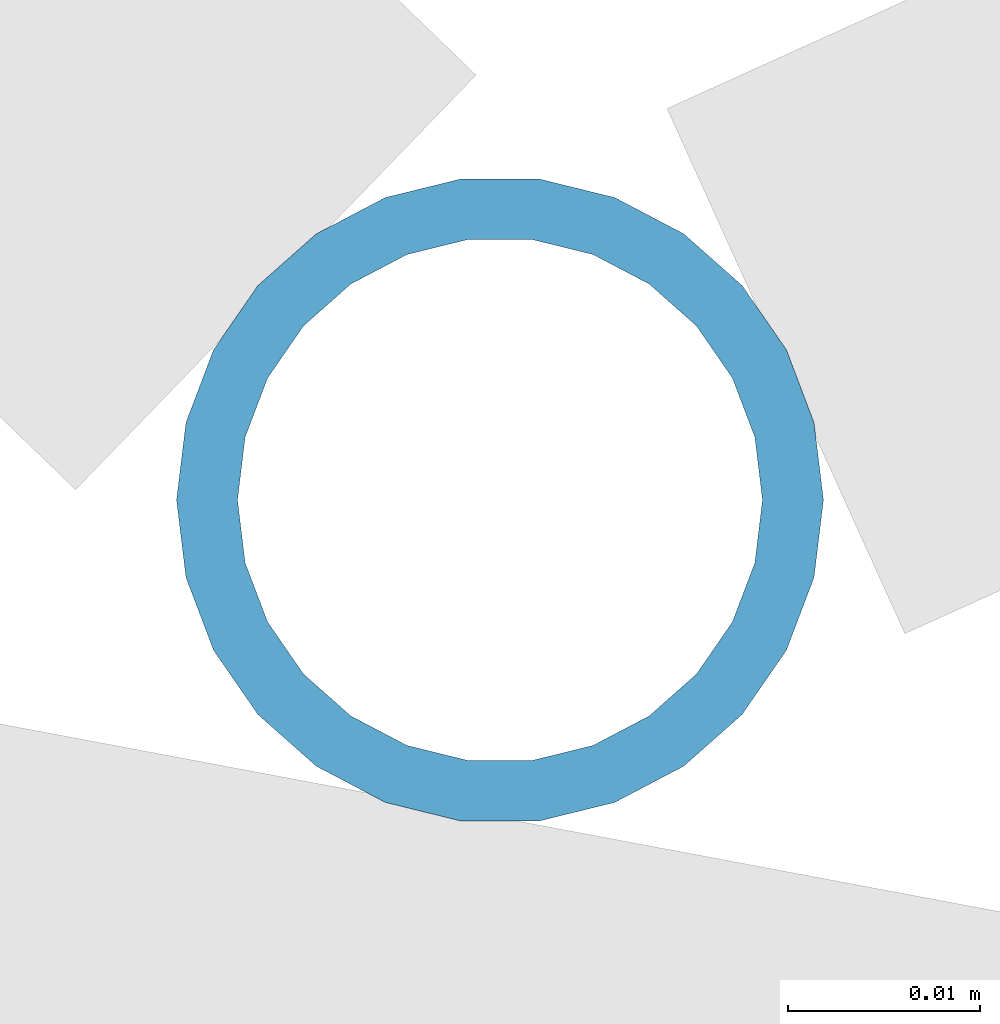
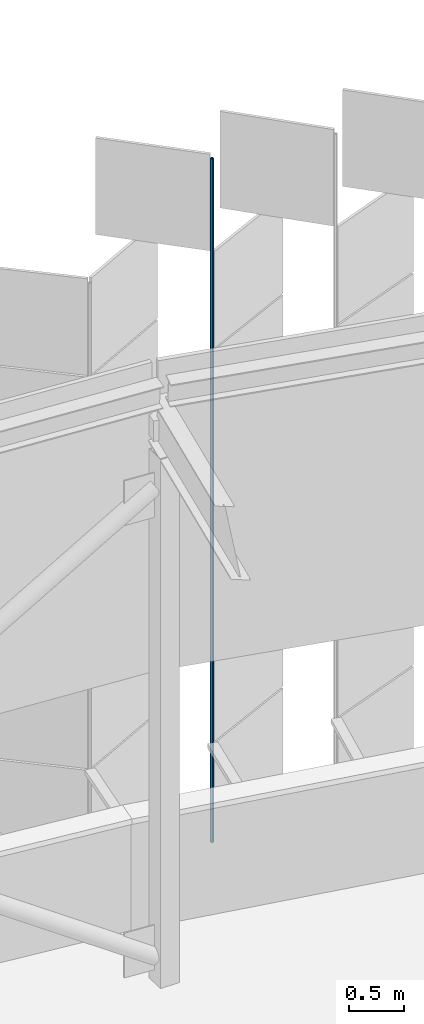
# One storey, part 392 of 483: 1 discrete accessory.
"""IFC4 building model written with IfcOpenShell, lengths in metres."""

import ifcopenshell
import ifcopenshell.guid

model = None  # the IFC model being written
_history = None  # IfcOwnerHistory: only IFC2X3 demands one
_inside = {}  # id of a spatial element -> (the spatial element, [elements in it])
_under = {}  # id of a project, library or spatial element -> (it, [spatial elements below it])
_declared = {}  # id of a project -> (the project, [libraries it declares])
_typed = {}  # id of a type object -> (the type object, [elements of that type])
_made_of = {}  # id of a material, layer set ... -> (it, [elements and type objects made of it])


def new_model(schema):
    """Start an empty IFC model of exactly this schema.

    Asked for "IFC4X3", IfcOpenShell would pick the latest addendum, in which some entities
    have other attributes; the version numbers below select the first issue.
    IFC2X3 requires an IfcOwnerHistory on every rooted entity: one is made here for all.
    """
    global model, _history
    if schema == "IFC4X3":
        model = ifcopenshell.file(schema_version=(4, 3, 0, 0))
    else:
        model = ifcopenshell.file(schema=schema)
    _inside.clear()
    _under.clear()
    _declared.clear()
    _typed.clear()
    _made_of.clear()
    _history = None
    if model.schema == "IFC2X3":
        org = make("IfcOrganization", Name="unknown")
        user = make(
            "IfcPersonAndOrganization",
            ThePerson=make("IfcPerson", FamilyName="unknown"),
            TheOrganization=org,
        )
        app = make(
            "IfcApplication",
            ApplicationDeveloper=org,
            Version="unknown",
            ApplicationFullName="unknown",
            ApplicationIdentifier="unknown",
        )
        _history = make(
            "IfcOwnerHistory",
            OwningUser=user,
            OwningApplication=app,
            ChangeAction="ADDED",
            CreationDate=0,
        )
    return model


def make(cls, **values):
    """One entity of the class cls with the attributes given. An attribute that is None is left unset."""
    return model.create_entity(
        cls, **{name: value for name, value in values.items() if value is not None}
    )


def rooted(cls, **values):
    """An entity with a GlobalId (a new one), such as an element, a storey or a relation."""
    return make(cls, GlobalId=ifcopenshell.guid.new(), OwnerHistory=_history, **values)


def si_unit(unit_type, name, prefix=None):
    """IfcSIUnit, for example si_unit("LENGTHUNIT", "METRE", prefix="MILLI")."""
    return make("IfcSIUnit", UnitType=unit_type, Prefix=prefix, Name=name)


def assignment(units):
    """IfcUnitAssignment: the units of a project."""
    return None if units is None else make("IfcUnitAssignment", Units=units)


def point(xyz):
    """IfcCartesianPoint."""
    return None if xyz is None else make("IfcCartesianPoint", Coordinates=xyz)


def direction(xyz):
    """IfcDirection."""
    return None if xyz is None else make("IfcDirection", DirectionRatios=xyz)


def frame(location, z_axis=None, x_axis=None):
    """IfcAxis2Placement3D, a coordinate frame: its origin and axes. An axis left out is left unset."""
    return make(
        "IfcAxis2Placement3D",
        Location=point(location),
        Axis=direction(z_axis),
        RefDirection=direction(x_axis),
    )


def frame_2d(location, x_axis=None):
    """IfcAxis2Placement2D, a coordinate frame in the plane: its origin and x axis."""
    return make(
        "IfcAxis2Placement2D", Location=point(location), RefDirection=direction(x_axis)
    )


def origin():
    """The frame at (0, 0, 0) with its axes left unset."""
    return frame((0.0, 0.0, 0.0))


def origin_2d():
    """The frame at (0, 0) in the plane with its x axis left unset."""
    return frame_2d((0.0, 0.0))


def place(relative_to, where):
    """IfcLocalPlacement: puts the frame where relative to a parent placement (None: the world)."""
    return make(
        "IfcLocalPlacement", PlacementRelTo=relative_to, RelativePlacement=where
    )


def context(
    kind, dimensions, precision=None, world=None, true_north=None, identifier=None
):
    """IfcGeometricRepresentationContext, for example the 3D "Model" context."""
    return make(
        "IfcGeometricRepresentationContext",
        ContextIdentifier=identifier,
        ContextType=kind,
        CoordinateSpaceDimension=dimensions,
        Precision=precision,
        WorldCoordinateSystem=world,
        TrueNorth=true_north,
    )


def subcontext(parent, identifier, kind, view, scale=None):
    """IfcGeometricRepresentationSubContext, for example "Body" below "Model"."""
    return make(
        "IfcGeometricRepresentationSubContext",
        ContextIdentifier=identifier,
        ContextType=kind,
        ParentContext=parent,
        TargetScale=scale,
        TargetView=view,
    )


def project(units=None, contexts=None):
    """IfcProject with its units and contexts."""
    return rooted(
        "IfcProject",
        Name="project",
        RepresentationContexts=contexts,
        UnitsInContext=assignment(units),
    )


def spatial(cls, under=None, at=None, **own):
    """A site, building, storey or space (cls), placed at a placement, below another one or the project."""
    s = rooted(cls, ObjectPlacement=at, **own)
    if under is not None:
        _under.setdefault(under.id(), (under, []))[1].append(s)
    return s


def profile(cls, at=None, kind="AREA", **sizes):
    """A parametric profile (cls). Its sizes go by their IFC names, for example OverallWidth=200.0."""
    return make(cls, ProfileType=kind, Position=at, **sizes)


def hollow_circle(**sizes):
    """IfcCircleHollowProfileDef."""
    return profile("IfcCircleHollowProfileDef", **sizes)


def extrude(swept, where, along, depth):
    """IfcExtrudedAreaSolid: the profile swept, set in the frame where, extruded along a direction by depth."""
    return make(
        "IfcExtrudedAreaSolid",
        SweptArea=swept,
        Position=where,
        ExtrudedDirection=direction(along),
        Depth=depth,
    )


def shape(context_of_items, identifier, shape_type, items):
    """IfcShapeRepresentation: the items that make up one representation, for example the "Body"."""
    return make(
        "IfcShapeRepresentation",
        ContextOfItems=context_of_items,
        RepresentationIdentifier=identifier,
        RepresentationType=shape_type,
        Items=items,
    )


def material(Name=None, Category=None):
    """IfcMaterial."""
    return make("IfcMaterial", Name=Name, Category=Category)


def material_profile(
    of_material, cross_section, Name=None, Category=None, Priority=None
):
    """IfcMaterialProfile: a cross section and its material."""
    return make(
        "IfcMaterialProfile",
        Name=Name,
        Material=of_material,
        Profile=cross_section,
        Priority=Priority,
        Category=Category,
    )


def profile_set(profiles, Name=None, composite=None):
    """IfcMaterialProfileSet."""
    return make(
        "IfcMaterialProfileSet",
        Name=Name,
        MaterialProfiles=profiles,
        CompositeProfile=composite,
    )


def made_of(thing, what):
    """Note that an element or type object is made of a material, layer set ...; save() writes the relation."""
    if what is not None:
        _made_of.setdefault(what.id(), (what, []))[1].append(thing)
    return thing


def type_object(cls, material=None, **own):
    """A type object (cls), such as IfcWallType, which elements share."""
    return made_of(rooted(cls, **own), material)


def element(
    cls,
    number,
    at=None,
    inside=None,
    cuts=None,
    type_object=None,
    material=None,
    context=None,
    identifier="Body",
    shape_type=None,
    held_by="IfcProductDefinitionShape",
    body=None,
    shapes=None,
    **own,
):
    """One element of the class cls, such as IfcWall. Its Tag is "e" and its number.

    at: its placement. inside: the storey or other place that contains it. cuts: it is an
    opening in that element (IfcRelVoidsElement). A single representation is given by context,
    identifier, shape_type and body (its items); several are given by shapes. held_by: the class
    of the entity that holds the representations. save() writes the other relations.
    """
    e = rooted(cls, Tag="e%d" % number, ObjectPlacement=at, **own)
    if body is not None:
        shapes = [shape(context, identifier, shape_type, body)]
    if shapes is not None:
        e.Representation = make(held_by, Representations=shapes)
    if inside is not None:
        _inside.setdefault(inside.id(), (inside, []))[1].append(e)
    if cuts is not None:
        rooted(
            "IfcRelVoidsElement", RelatingBuildingElement=cuts, RelatedOpeningElement=e
        )
    if type_object is not None:
        _typed.setdefault(type_object.id(), (type_object, []))[1].append(e)
    return made_of(e, material)


def aggregate(whole, parts):
    """IfcRelAggregates: a whole, such as a stair, and the parts it consists of."""
    return rooted("IfcRelAggregates", RelatingObject=whole, RelatedObjects=parts)


def save(model, path):
    """Write the relations noted so far, then the file.

    IfcRelAggregates (storeys below a building ...), IfcRelContainedInSpatialStructure (elements
    in a storey), IfcRelDefinesByType, IfcRelAssociatesMaterial and IfcRelDeclares: one each for
    every whole, place, type object, material and project.
    """
    for whole, parts in _under.values():
        aggregate(whole, parts)
    for where, things in _inside.values():
        rooted(
            "IfcRelContainedInSpatialStructure",
            RelatedElements=things,
            RelatingStructure=where,
        )
    for kind, things in _typed.values():
        rooted("IfcRelDefinesByType", RelatedObjects=things, RelatingType=kind)
    for what, things in _made_of.values():
        rooted("IfcRelAssociatesMaterial", RelatedObjects=things, RelatingMaterial=what)
    for by, libraries in _declared.values():
        rooted("IfcRelDeclares", RelatingContext=by, RelatedDefinitions=libraries)
    model.write(path)


model = new_model("IFC4")

# Units and contexts
model_context = context("Model", 3, precision=1e-05, world=origin(), true_north=direction((0.0, 1.0)))
body_context = subcontext(model_context, "Body", "Model", "MODEL_VIEW")
ifc_project = project(units=[si_unit("LENGTHUNIT", "METRE"), si_unit("AREAUNIT", "SQUARE_METRE"), si_unit("VOLUMEUNIT", "CUBIC_METRE"), si_unit("PLANEANGLEUNIT", "RADIAN"), si_unit("MASSUNIT", "GRAM", prefix="KILO")], contexts=[model_context])

# Site, building, storey
site_placement = place(None, origin())
site = spatial("IfcSite", under=ifc_project, at=site_placement, CompositionType="ELEMENT")
building_placement = place(site_placement, origin())
building = spatial("IfcBuilding", under=site, at=building_placement, Name="Parallax Yard Mobility Hub", CompositionType="ELEMENT")
storey_placement = place(building_placement, frame((0.0, 0.0, 13.199951171875)))
storey = spatial("IfcBuildingStorey", under=building, at=storey_placement, Name="L04", CompositionType="ELEMENT", Elevation=13.199951171875)

# Discrete accessory
ifc_material = material(Name="Steel ASTM A500 Gr C, hot-dip galvanised", Category="steel")
ifc_material_profile = material_profile(ifc_material, hollow_circle(Radius=0.016845703125, WallThickness=0.003173828125, at=origin_2d()), Name="CHS 33.7x3.2")
ifc_profile_set = profile_set([ifc_material_profile], Name="Steel ASTM A500 Gr C, hot-dip galvanised")
discrete_accessory_type = type_object("IfcDiscreteAccessoryType", Name="Hinge post CHS 33.7x3.2", PredefinedType="BRACKET", material=ifc_profile_set)
discrete_accessory_placement = place(storey_placement, frame((182.02392578125, 142.4619140625, 0.0), z_axis=(0.0, 0.0, 1.0), x_axis=(1.0, 0.0, 0.0)))
element("IfcDiscreteAccessory", 1, at=discrete_accessory_placement, inside=storey, type_object=discrete_accessory_type, Name="Hinge post bay 49.7 level L04", PredefinedType="BRACKET", context=body_context, shape_type="SweptSolid", body=[
    extrude(hollow_circle(Radius=0.016845703125, WallThickness=0.003173828125, at=origin_2d()), origin(), (0.0, 0.0, 1.0), 7.650146484375),
])

save(model, "model.ifc")
